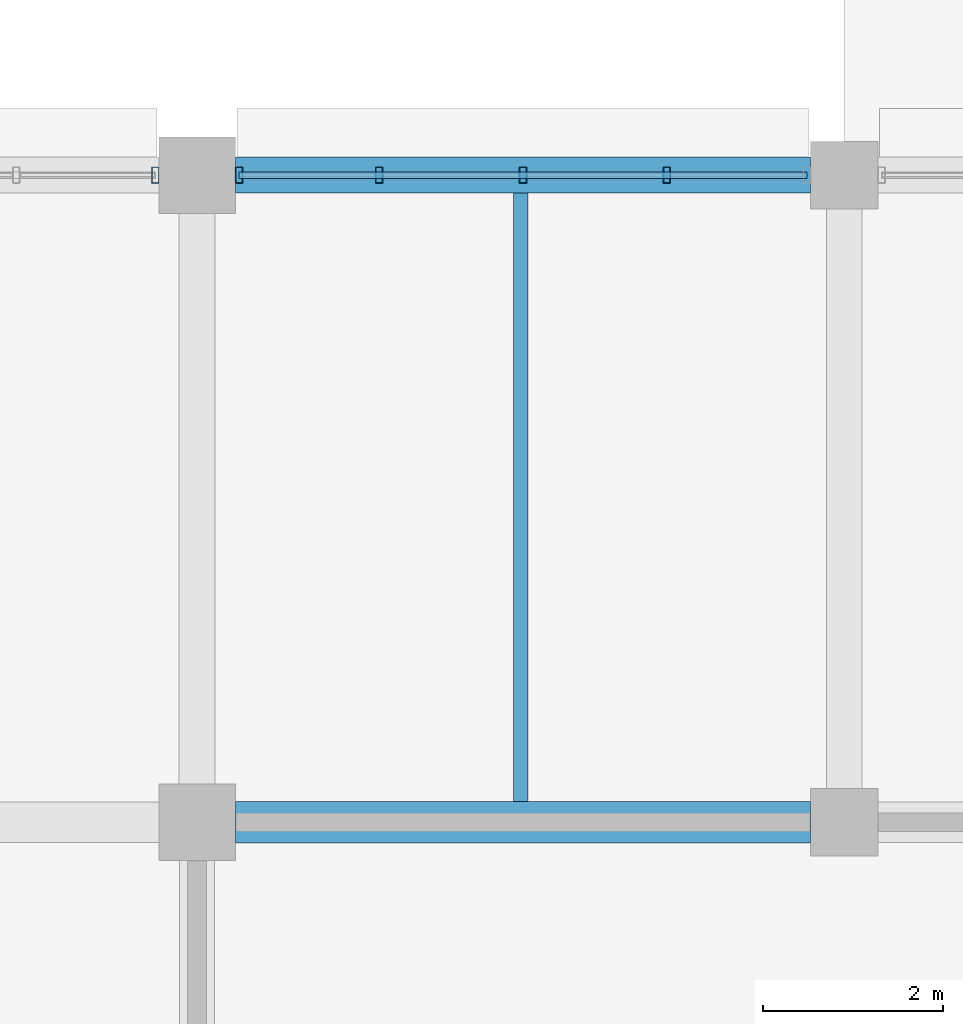
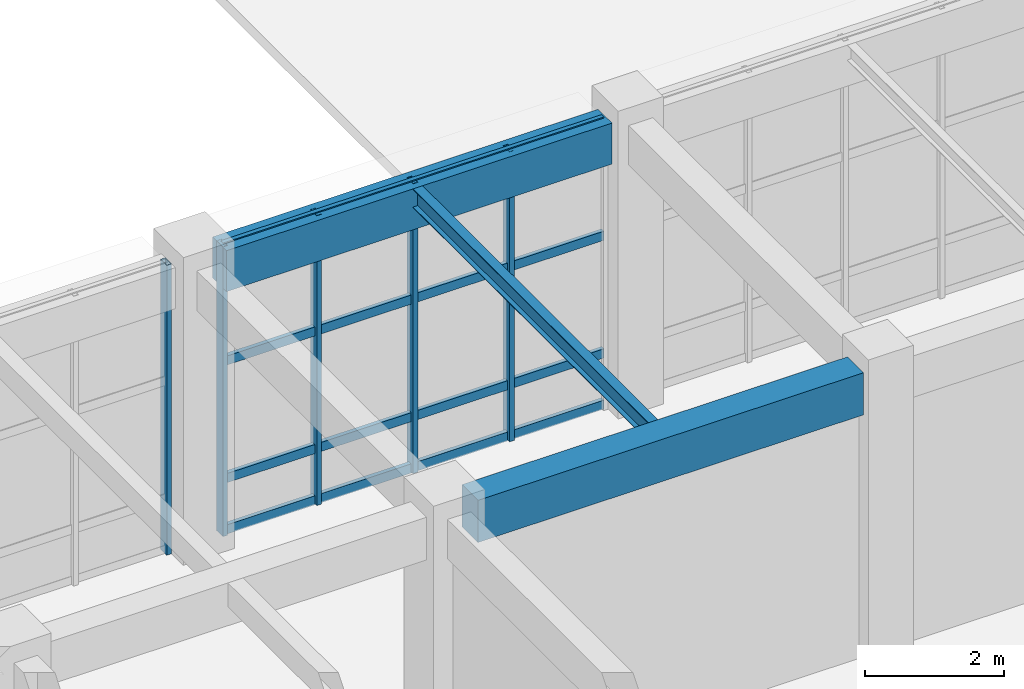
# One storey, part 32 of 160: 9 members, 3 beams, 2 elements without a shape of their own.
"""IFC4 building model written with IfcOpenShell, lengths in metres."""

from ifc_helpers import new_model, si_unit, direction, frame, origin, origin_2d, place, context, subcontext, project, spatial, rectangle, hollow_rectangle, i_section, extrude, material, material_profile, profile_set, type_object, element, aggregate, save


model = new_model("IFC4")

# Units and contexts
model_context = context("Model", 3, precision=1e-05, world=origin(), true_north=direction((0.0, 1.0)))
body_context = subcontext(model_context, "Body", "Model", "MODEL_VIEW")
ifc_project = project(units=[si_unit("LENGTHUNIT", "METRE"), si_unit("AREAUNIT", "SQUARE_METRE"), si_unit("VOLUMEUNIT", "CUBIC_METRE"), si_unit("PLANEANGLEUNIT", "RADIAN"), si_unit("MASSUNIT", "GRAM", prefix="KILO")], contexts=[model_context])

# Site, building, storey
site_placement = place(None, origin())
site = spatial("IfcSite", under=ifc_project, at=site_placement, CompositionType="ELEMENT")
building_placement = place(site_placement, origin())
building = spatial("IfcBuilding", under=site, at=building_placement, Name="Thalmaran Polytechnic", CompositionType="ELEMENT")
storey_placement = place(building_placement, origin())
storey = spatial("IfcBuildingStorey", under=building, at=storey_placement, Name="L00", CompositionType="ELEMENT", Elevation=0.0)

# Beams
ifc_material_1 = material(Name="Steel S355", Category="steel")
ifc_material_profile_1 = material_profile(ifc_material_1, i_section(OverallWidth=0.159912109375, OverallDepth=0.330078125, WebThickness=0.007568359375, FlangeThickness=0.011474609375, at=origin_2d()), Name="IPE 330")
ifc_profile_set_1 = profile_set([ifc_material_profile_1], Name="Steel S355")
beam_type_1 = type_object("IfcBeamType", Name="BM-SJ02", PredefinedType="JOIST", material=ifc_profile_set_1)
beam_1_placement = place(storey_placement, frame((90.0, 29.030029296875, 4.925048828125), z_axis=(0.0, 1.0, 0.0), x_axis=(-1.0, 0.0, 0.0)))
element("IfcBeam", 1, at=beam_1_placement, inside=storey, type_object=beam_type_1, Name="Secondary Floor Rib SJ02 L00 (12,4)", PredefinedType="JOIST", context=body_context, shape_type="SweptSolid", body=[
    extrude(i_section(OverallWidth=0.159912109375, OverallDepth=0.330078125, WebThickness=0.007568359375, FlangeThickness=0.011474609375, at=origin_2d()), origin(), (0.0, 0.0, 1.0), 6.77001953125),
])
ifc_material_2 = material(Name="Concrete C40/50", Category="concrete")
ifc_material_profile_2 = material_profile(ifc_material_2, rectangle(XDim=0.39990234375, YDim=0.719970703125, at=origin_2d()), Name="RC 400x720")
ifc_profile_set_2 = profile_set([ifc_material_profile_2], Name="Concrete C40/50")
beam_type_2 = type_object("IfcBeamType", Name="BM-SP01", PredefinedType="SPANDREL", material=ifc_profile_set_2)
beam_2_placement = place(storey_placement, frame((86.824951171875, 36.0, 4.72998046875), z_axis=(1.0, 0.0, 0.0), x_axis=(0.0, 1.0, 0.0)))
element("IfcBeam", 2, at=beam_2_placement, inside=storey, type_object=beam_type_2, Name="Grid Beam SP01 L00 X(12,5)", PredefinedType="SPANDREL", context=body_context, shape_type="SweptSolid", body=[
    extrude(rectangle(XDim=0.39990234375, YDim=0.719970703125, at=origin_2d()), origin(), (0.0, 0.0, 1.0), 6.400146484375),
])
ifc_material_profile_3 = material_profile(ifc_material_2, rectangle(XDim=0.4599609375, YDim=0.739990234375, at=origin_2d()), Name="RC 460x740")
ifc_profile_set_3 = profile_set([ifc_material_profile_3], Name="Concrete C40/50")
beam_type_3 = type_object("IfcBeamType", Name="BM-ZB02", PredefinedType="BEAM", material=ifc_profile_set_3)
beam_3_placement = place(storey_placement, frame((86.824951171875, 28.800048828125, 4.719970703125), z_axis=(1.0, 0.0, 0.0), x_axis=(0.0, 1.0, 0.0)))
element("IfcBeam", 3, at=beam_3_placement, inside=storey, type_object=beam_type_3, Name="Grid Beam ZB02 L00 X(12,4)", PredefinedType="BEAM", context=body_context, shape_type="SweptSolid", body=[
    extrude(rectangle(XDim=0.4599609375, YDim=0.739990234375, at=origin_2d()), origin(), (0.0, 0.0, 1.0), 6.400146484375),
])

# Curtain wall, member
ifc_material_3 = material(Name="Aluminium 6063-T6", Category="aluminium")
curtain_wall_type = type_object("IfcCurtainWallType", Name="CW-UC01", PredefinedType="USERDEFINED", material=ifc_material_3)
curtain_wall_1_placement = place(storey_placement, origin())
curtain_wall_1 = element("IfcCurtainWall", 4, at=curtain_wall_1_placement, inside=storey, type_object=curtain_wall_type, Name="Curtain Wall CW-L00-057", ObjectType="UNITISED CURTAIN WALL", PredefinedType="USERDEFINED")
ifc_material_profile_4 = material_profile(ifc_material_3, hollow_rectangle(XDim=0.080078125, YDim=0.179931640625, WallThickness=0.0048828125, at=origin_2d()), Name="RHS 180x80x5.0")
ifc_profile_set_4 = profile_set([ifc_material_profile_4], Name="Aluminium 6063-T6")
member_type_1 = type_object("IfcMemberType", Name="CW-MUL1", PredefinedType="MULLION", material=ifc_profile_set_4)
member_1_placement = place(storey_placement, frame((85.93505859375, 36.0, 0.0), z_axis=(0.0, 0.0, 1.0), x_axis=(1.0, 0.0, 0.0)))
member_1 = element("IfcMember", 5, at=member_1_placement, type_object=member_type_1, Name="CW-L00-057 Mullion 5", PredefinedType="MULLION", context=body_context, shape_type="SweptSolid", body=[
    extrude(hollow_rectangle(XDim=0.080078125, YDim=0.179931640625, WallThickness=0.0048828125, at=origin_2d()), origin(), (0.0, 0.0, 1.0), 5.090087890625),
])
aggregate(curtain_wall_1, [member_1])

# Curtain wall, members
curtain_wall_2_placement = place(storey_placement, origin())
curtain_wall_2 = element("IfcCurtainWall", 6, at=curtain_wall_2_placement, inside=storey, type_object=curtain_wall_type, Name="Curtain Wall CW-L00-058", ObjectType="UNITISED CURTAIN WALL", PredefinedType="USERDEFINED")
member_2_placement = place(storey_placement, frame((86.864990234375, 36.0, 0.0), z_axis=(0.0, 0.0, 1.0), x_axis=(1.0, 0.0, 0.0)))
member_2 = element("IfcMember", 7, at=member_2_placement, type_object=member_type_1, Name="CW-L00-058 Mullion 1", PredefinedType="MULLION", context=body_context, shape_type="SweptSolid", body=[
    extrude(hollow_rectangle(XDim=0.080078125, YDim=0.179931640625, WallThickness=0.0048828125, at=origin_2d()), origin(), (0.0, 0.0, 1.0), 5.090087890625),
])
member_3_placement = place(storey_placement, frame((88.425048828125, 36.0, 0.0), z_axis=(0.0, 0.0, 1.0), x_axis=(1.0, 0.0, 0.0)))
member_3 = element("IfcMember", 8, at=member_3_placement, type_object=member_type_1, Name="CW-L00-058 Mullion 2", PredefinedType="MULLION", context=body_context, shape_type="SweptSolid", body=[
    extrude(hollow_rectangle(XDim=0.080078125, YDim=0.179931640625, WallThickness=0.0048828125, at=origin_2d()), origin(), (0.0, 0.0, 1.0), 5.090087890625),
])
member_4_placement = place(storey_placement, frame((90.02490234375, 36.0, 0.0), z_axis=(0.0, 0.0, 1.0), x_axis=(1.0, 0.0, 0.0)))
member_4 = element("IfcMember", 9, at=member_4_placement, type_object=member_type_1, Name="CW-L00-058 Mullion 3", PredefinedType="MULLION", context=body_context, shape_type="SweptSolid", body=[
    extrude(hollow_rectangle(XDim=0.080078125, YDim=0.179931640625, WallThickness=0.0048828125, at=origin_2d()), origin(), (0.0, 0.0, 1.0), 5.090087890625),
])
member_5_placement = place(storey_placement, frame((91.625, 36.0, 0.0), z_axis=(0.0, 0.0, 1.0), x_axis=(1.0, 0.0, 0.0)))
member_5 = element("IfcMember", 10, at=member_5_placement, type_object=member_type_1, Name="CW-L00-058 Mullion 4", PredefinedType="MULLION", context=body_context, shape_type="SweptSolid", body=[
    extrude(hollow_rectangle(XDim=0.080078125, YDim=0.179931640625, WallThickness=0.0048828125, at=origin_2d()), origin(), (0.0, 0.0, 1.0), 5.090087890625),
])
ifc_material_profile_5 = material_profile(ifc_material_3, hollow_rectangle(XDim=0.070068359375, YDim=0.159912109375, WallThickness=0.00390625, at=origin_2d()), Name="AL 160x70x4.0")
ifc_profile_set_5 = profile_set([ifc_material_profile_5], Name="Aluminium 6063-T6")
member_type_2 = type_object("IfcMemberType", Name="CW-TRN1", PredefinedType="USERDEFINED", material=ifc_profile_set_5)
member_6_placement = place(storey_placement, frame((86.864990234375, 36.0, 0.06005859375), z_axis=(1.0, 0.0, 0.0), x_axis=(0.0, 1.0, 0.0)))
member_6 = element("IfcMember", 11, at=member_6_placement, type_object=member_type_2, Name="CW-L00-058 Transom 1", ObjectType="TRANSOM", PredefinedType="USERDEFINED", context=body_context, shape_type="SweptSolid", body=[
    extrude(hollow_rectangle(XDim=0.070068359375, YDim=0.159912109375, WallThickness=0.00390625, at=origin_2d()), origin(), (0.0, 0.0, 1.0), 6.320068359375),
])
member_7_placement = place(storey_placement, frame((86.864990234375, 36.0, 0.9599609375), z_axis=(1.0, 0.0, 0.0), x_axis=(0.0, 1.0, 0.0)))
member_7 = element("IfcMember", 12, at=member_7_placement, type_object=member_type_2, Name="CW-L00-058 Transom 2", ObjectType="TRANSOM", PredefinedType="USERDEFINED", context=body_context, shape_type="SweptSolid", body=[
    extrude(hollow_rectangle(XDim=0.070068359375, YDim=0.159912109375, WallThickness=0.00390625, at=origin_2d()), origin(), (0.0, 0.0, 1.0), 6.320068359375),
])
member_8_placement = place(storey_placement, frame((86.864990234375, 36.0, 3.02490234375), z_axis=(1.0, 0.0, 0.0), x_axis=(0.0, 1.0, 0.0)))
member_8 = element("IfcMember", 13, at=member_8_placement, type_object=member_type_2, Name="CW-L00-058 Transom 3", ObjectType="TRANSOM", PredefinedType="USERDEFINED", context=body_context, shape_type="SweptSolid", body=[
    extrude(hollow_rectangle(XDim=0.070068359375, YDim=0.159912109375, WallThickness=0.00390625, at=origin_2d()), origin(), (0.0, 0.0, 1.0), 6.320068359375),
])
member_9_placement = place(storey_placement, frame((86.864990234375, 36.0, 5.030029296875), z_axis=(1.0, 0.0, 0.0), x_axis=(0.0, 1.0, 0.0)))
member_9 = element("IfcMember", 14, at=member_9_placement, type_object=member_type_2, Name="CW-L00-058 Transom 4", ObjectType="TRANSOM", PredefinedType="USERDEFINED", context=body_context, shape_type="SweptSolid", body=[
    extrude(hollow_rectangle(XDim=0.070068359375, YDim=0.159912109375, WallThickness=0.00390625, at=origin_2d()), origin(), (0.0, 0.0, 1.0), 6.320068359375),
])
aggregate(curtain_wall_2, [member_2, member_3, member_4, member_5, member_6, member_7, member_8, member_9])

save(model, "model.ifc")
